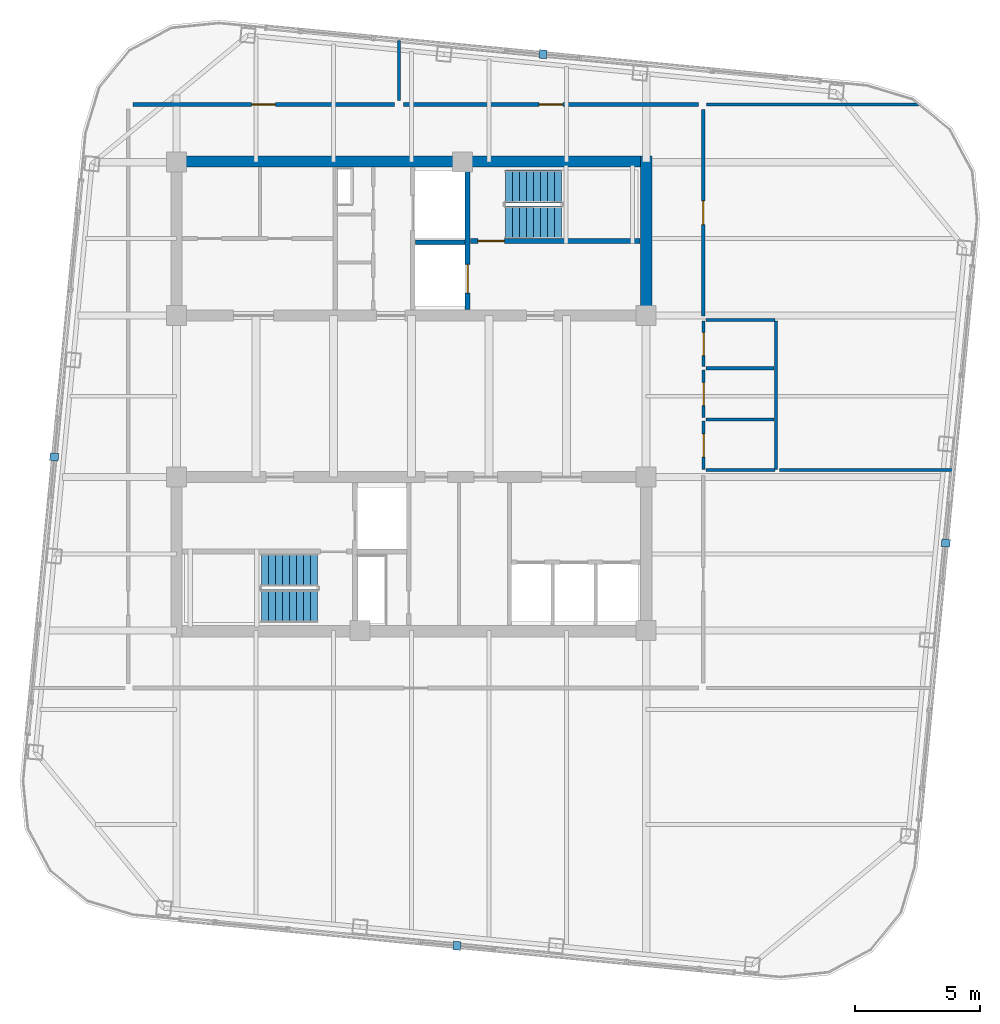
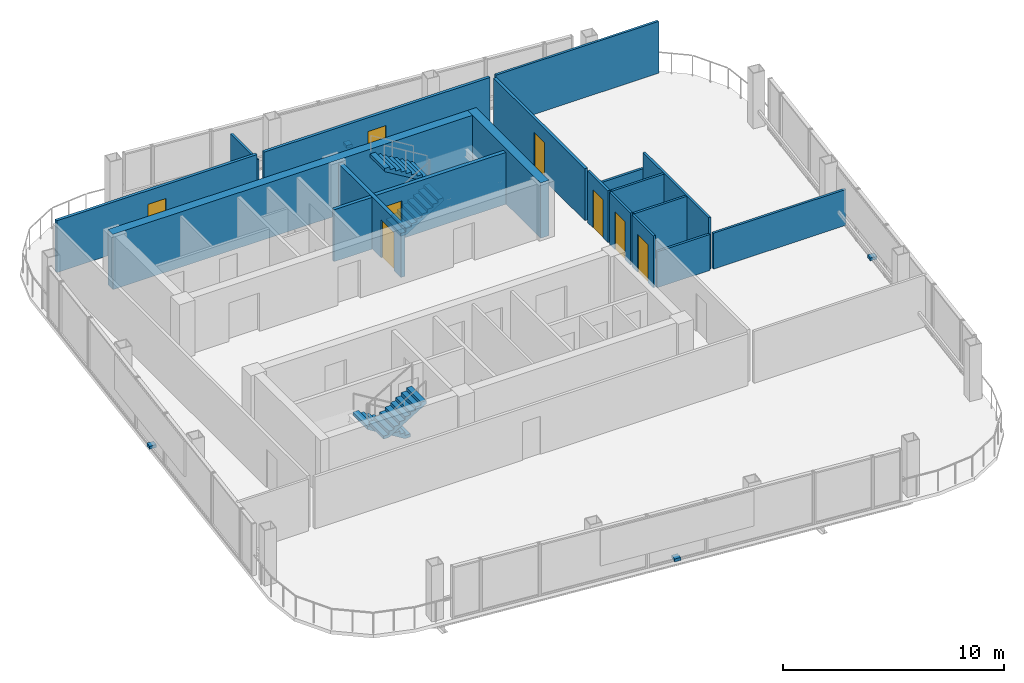
# One storey, part 22 of 26: 19 walls, 8 doors, 4 discrete accessories, 4 stair flights, 8 openings, 2 elements without a shape of their own.
"""IFC4 building model written with IfcOpenShell, lengths in metres."""

import ifcopenshell
import ifcopenshell.guid

model = None  # the IFC model being written
_history = None  # IfcOwnerHistory: only IFC2X3 demands one
_inside = {}  # id of a spatial element -> (the spatial element, [elements in it])
_under = {}  # id of a project, library or spatial element -> (it, [spatial elements below it])
_declared = {}  # id of a project -> (the project, [libraries it declares])
_typed = {}  # id of a type object -> (the type object, [elements of that type])
_made_of = {}  # id of a material, layer set ... -> (it, [elements and type objects made of it])


def new_model(schema):
    """Start an empty IFC model of exactly this schema.

    Asked for "IFC4X3", IfcOpenShell would pick the latest addendum, in which some entities
    have other attributes; the version numbers below select the first issue.
    IFC2X3 requires an IfcOwnerHistory on every rooted entity: one is made here for all.
    """
    global model, _history
    if schema == "IFC4X3":
        model = ifcopenshell.file(schema_version=(4, 3, 0, 0))
    else:
        model = ifcopenshell.file(schema=schema)
    _inside.clear()
    _under.clear()
    _declared.clear()
    _typed.clear()
    _made_of.clear()
    _history = None
    if model.schema == "IFC2X3":
        org = make("IfcOrganization", Name="unknown")
        user = make(
            "IfcPersonAndOrganization",
            ThePerson=make("IfcPerson", FamilyName="unknown"),
            TheOrganization=org,
        )
        app = make(
            "IfcApplication",
            ApplicationDeveloper=org,
            Version="unknown",
            ApplicationFullName="unknown",
            ApplicationIdentifier="unknown",
        )
        _history = make(
            "IfcOwnerHistory",
            OwningUser=user,
            OwningApplication=app,
            ChangeAction="ADDED",
            CreationDate=0,
        )
    return model


def make(cls, **values):
    """One entity of the class cls with the attributes given. An attribute that is None is left unset."""
    return model.create_entity(
        cls, **{name: value for name, value in values.items() if value is not None}
    )


def rooted(cls, **values):
    """An entity with a GlobalId (a new one), such as an element, a storey or a relation."""
    return make(cls, GlobalId=ifcopenshell.guid.new(), OwnerHistory=_history, **values)


def si_unit(unit_type, name, prefix=None):
    """IfcSIUnit, for example si_unit("LENGTHUNIT", "METRE", prefix="MILLI")."""
    return make("IfcSIUnit", UnitType=unit_type, Prefix=prefix, Name=name)


def assignment(units):
    """IfcUnitAssignment: the units of a project."""
    return None if units is None else make("IfcUnitAssignment", Units=units)


def point(xyz):
    """IfcCartesianPoint."""
    return None if xyz is None else make("IfcCartesianPoint", Coordinates=xyz)


def direction(xyz):
    """IfcDirection."""
    return None if xyz is None else make("IfcDirection", DirectionRatios=xyz)


def frame(location, z_axis=None, x_axis=None):
    """IfcAxis2Placement3D, a coordinate frame: its origin and axes. An axis left out is left unset."""
    return make(
        "IfcAxis2Placement3D",
        Location=point(location),
        Axis=direction(z_axis),
        RefDirection=direction(x_axis),
    )


def frame_2d(location, x_axis=None):
    """IfcAxis2Placement2D, a coordinate frame in the plane: its origin and x axis."""
    return make(
        "IfcAxis2Placement2D", Location=point(location), RefDirection=direction(x_axis)
    )


def origin():
    """The frame at (0, 0, 0) with its axes left unset."""
    return frame((0.0, 0.0, 0.0))


def origin_2d():
    """The frame at (0, 0) in the plane with its x axis left unset."""
    return frame_2d((0.0, 0.0))


def place(relative_to, where):
    """IfcLocalPlacement: puts the frame where relative to a parent placement (None: the world)."""
    return make(
        "IfcLocalPlacement", PlacementRelTo=relative_to, RelativePlacement=where
    )


def context(
    kind, dimensions, precision=None, world=None, true_north=None, identifier=None
):
    """IfcGeometricRepresentationContext, for example the 3D "Model" context."""
    return make(
        "IfcGeometricRepresentationContext",
        ContextIdentifier=identifier,
        ContextType=kind,
        CoordinateSpaceDimension=dimensions,
        Precision=precision,
        WorldCoordinateSystem=world,
        TrueNorth=true_north,
    )


def subcontext(parent, identifier, kind, view, scale=None):
    """IfcGeometricRepresentationSubContext, for example "Body" below "Model"."""
    return make(
        "IfcGeometricRepresentationSubContext",
        ContextIdentifier=identifier,
        ContextType=kind,
        ParentContext=parent,
        TargetScale=scale,
        TargetView=view,
    )


def project(units=None, contexts=None):
    """IfcProject with its units and contexts."""
    return rooted(
        "IfcProject",
        Name="project",
        RepresentationContexts=contexts,
        UnitsInContext=assignment(units),
    )


def spatial(cls, under=None, at=None, **own):
    """A site, building, storey or space (cls), placed at a placement, below another one or the project."""
    s = rooted(cls, ObjectPlacement=at, **own)
    if under is not None:
        _under.setdefault(under.id(), (under, []))[1].append(s)
    return s


def polyline(points):
    """IfcPolyline through the points."""
    return make("IfcPolyline", Points=[point(p) for p in points])


def profile(cls, at=None, kind="AREA", **sizes):
    """A parametric profile (cls). Its sizes go by their IFC names, for example OverallWidth=200.0."""
    return make(cls, ProfileType=kind, Position=at, **sizes)


def rectangle(**sizes):
    """IfcRectangleProfileDef."""
    return profile("IfcRectangleProfileDef", **sizes)


def outline(outer, holes=None, kind="AREA"):
    """IfcArbitraryClosedProfileDef: a profile drawn as a closed curve; with holes, ...WithVoids."""
    if holes is None:
        return make("IfcArbitraryClosedProfileDef", ProfileType=kind, OuterCurve=outer)
    return make(
        "IfcArbitraryProfileDefWithVoids",
        ProfileType=kind,
        OuterCurve=outer,
        InnerCurves=holes,
    )


def extrude(swept, where, along, depth):
    """IfcExtrudedAreaSolid: the profile swept, set in the frame where, extruded along a direction by depth."""
    return make(
        "IfcExtrudedAreaSolid",
        SweptArea=swept,
        Position=where,
        ExtrudedDirection=direction(along),
        Depth=depth,
    )


def shape(context_of_items, identifier, shape_type, items):
    """IfcShapeRepresentation: the items that make up one representation, for example the "Body"."""
    return make(
        "IfcShapeRepresentation",
        ContextOfItems=context_of_items,
        RepresentationIdentifier=identifier,
        RepresentationType=shape_type,
        Items=items,
    )


def material(Name=None, Category=None):
    """IfcMaterial."""
    return make("IfcMaterial", Name=Name, Category=Category)


def layer(
    of_material, thickness, ventilated=None, Name=None, Category=None, Priority=None
):
    """IfcMaterialLayer: one layer of a wall or slab, of a material (None: an air gap)."""
    return make(
        "IfcMaterialLayer",
        Material=of_material,
        LayerThickness=thickness,
        IsVentilated=ventilated,
        Name=Name,
        Category=Category,
        Priority=Priority,
    )


def layer_set(layers, Name=None):
    """IfcMaterialLayerSet."""
    return make("IfcMaterialLayerSet", MaterialLayers=layers, LayerSetName=Name)


def made_of(thing, what):
    """Note that an element or type object is made of a material, layer set ...; save() writes the relation."""
    if what is not None:
        _made_of.setdefault(what.id(), (what, []))[1].append(thing)
    return thing


def type_object(cls, material=None, **own):
    """A type object (cls), such as IfcWallType, which elements share."""
    return made_of(rooted(cls, **own), material)


def element(
    cls,
    number,
    at=None,
    inside=None,
    cuts=None,
    type_object=None,
    material=None,
    context=None,
    identifier="Body",
    shape_type=None,
    held_by="IfcProductDefinitionShape",
    body=None,
    shapes=None,
    **own,
):
    """One element of the class cls, such as IfcWall. Its Tag is "e" and its number.

    at: its placement. inside: the storey or other place that contains it. cuts: it is an
    opening in that element (IfcRelVoidsElement). A single representation is given by context,
    identifier, shape_type and body (its items); several are given by shapes. held_by: the class
    of the entity that holds the representations. save() writes the other relations.
    """
    e = rooted(cls, Tag="e%d" % number, ObjectPlacement=at, **own)
    if body is not None:
        shapes = [shape(context, identifier, shape_type, body)]
    if shapes is not None:
        e.Representation = make(held_by, Representations=shapes)
    if inside is not None:
        _inside.setdefault(inside.id(), (inside, []))[1].append(e)
    if cuts is not None:
        rooted(
            "IfcRelVoidsElement", RelatingBuildingElement=cuts, RelatedOpeningElement=e
        )
    if type_object is not None:
        _typed.setdefault(type_object.id(), (type_object, []))[1].append(e)
    return made_of(e, material)


def fill(opening, filler):
    """IfcRelFillsElement: the door or window that sits in an opening."""
    return rooted(
        "IfcRelFillsElement",
        RelatingOpeningElement=opening,
        RelatedBuildingElement=filler,
    )


def aggregate(whole, parts):
    """IfcRelAggregates: a whole, such as a stair, and the parts it consists of."""
    return rooted("IfcRelAggregates", RelatingObject=whole, RelatedObjects=parts)


def save(model, path):
    """Write the relations noted so far, then the file.

    IfcRelAggregates (storeys below a building ...), IfcRelContainedInSpatialStructure (elements
    in a storey), IfcRelDefinesByType, IfcRelAssociatesMaterial and IfcRelDeclares: one each for
    every whole, place, type object, material and project.
    """
    for whole, parts in _under.values():
        aggregate(whole, parts)
    for where, things in _inside.values():
        rooted(
            "IfcRelContainedInSpatialStructure",
            RelatedElements=things,
            RelatingStructure=where,
        )
    for kind, things in _typed.values():
        rooted("IfcRelDefinesByType", RelatedObjects=things, RelatingType=kind)
    for what, things in _made_of.values():
        rooted("IfcRelAssociatesMaterial", RelatedObjects=things, RelatingMaterial=what)
    for by, libraries in _declared.values():
        rooted("IfcRelDeclares", RelatingContext=by, RelatedDefinitions=libraries)
    model.write(path)


model = new_model("IFC4")

# Units and contexts
model_context = context("Model", 3, precision=1e-05, world=origin(), true_north=direction((0.0, 1.0)))
body_context = subcontext(model_context, "Body", "Model", "MODEL_VIEW")
ifc_project = project(units=[si_unit("LENGTHUNIT", "METRE"), si_unit("AREAUNIT", "SQUARE_METRE"), si_unit("VOLUMEUNIT", "CUBIC_METRE"), si_unit("PLANEANGLEUNIT", "RADIAN"), si_unit("MASSUNIT", "GRAM", prefix="KILO")], contexts=[model_context])

# Site, building, storey
site_placement = place(None, origin())
site = spatial("IfcSite", under=ifc_project, at=site_placement, CompositionType="ELEMENT")
building_placement = place(site_placement, origin())
building = spatial("IfcBuilding", under=site, at=building_placement, Name="Qhalaya Broadcast Tower", CompositionType="ELEMENT")
storey_placement = place(building_placement, frame((0.0, 0.0, 248.949951171875)))
storey = spatial("IfcBuildingStorey", under=building, at=storey_placement, Name="L73", CompositionType="ELEMENT", Elevation=248.949951171875)

# Wall, opening, door
ifc_material_1 = material(Name="Gypsum Acoustic Partition")
ifc_layer_1 = layer(ifc_material_1, 0.14990234375, Name="Gypsum Acoustic Partition")
ifc_layer_set_1 = layer_set([ifc_layer_1], Name="Gypsum Acoustic Partition")
wall_type_1 = type_object("IfcWallType", Name="Corridor & Tenancy Acoustic Partition 150", PredefinedType="PARTITIONING", material=ifc_layer_set_1)
wall_1_placement = place(storey_placement, frame((-11.1201171875, 12.25, 0.0), z_axis=(0.0, 0.0, 1.0), x_axis=(1.0, 0.0, 0.0)))
wall_1 = element("IfcWall", 1, at=wall_1_placement, inside=storey, type_object=wall_type_1, Name="L73 Partition Wall W-COR-01", PredefinedType="PARTITIONING", context=body_context, shape_type="SweptSolid", body=[
    extrude(rectangle(XDim=10.440185546875, YDim=0.14990234375, at=frame_2d((5.22021484375, 0.0))), origin(), (0.0, 0.0, 1.0), 2.860107421875),
])
opening_1_placement = place(wall_1_placement, frame((4.7451171875, 0.0, 0.0)))
opening_1 = element("IfcOpeningElement", 2, at=opening_1_placement, cuts=wall_1, Name="Opening D10", PredefinedType="OPENING", context=body_context, shape_type="SweptSolid", body=[
    extrude(rectangle(XDim=0.949951171875, YDim=2.10009765625, at=frame_2d((0.47509765625, 1.050048828125))), frame((0.0, 0.0869140625, 0.0), z_axis=(0.0, -1.0, 0.0), x_axis=(1.0, 0.0, 0.0)), (0.0, 0.0, 1.0), 0.173828125),
])
ifc_material_2 = material(Name="Timber Veneer Acoustic Door", Category="wood")
door_type_1 = type_object("IfcDoorType", Name="Cellular Office & Edit Booth Door D10", OperationType="NOTDEFINED", PredefinedType="DOOR", material=ifc_material_2)
door_1_placement = place(opening_1_placement, origin())
door_1 = element("IfcDoor", 3, at=door_1_placement, inside=storey, type_object=door_type_1, Name="L73 Door D-RM01", OperationType="SINGLE_SWING_LEFT", OverallHeight=2.10009765625, OverallWidth=0.949951171875, PredefinedType="DOOR", context=body_context, shape_type="SweptSolid", body=[
    extrude(rectangle(XDim=0.949951171875, YDim=2.10009765625, at=frame_2d((0.47509765625, 1.050048828125))), frame((0.0, 0.02490234375, 0.0), z_axis=(0.0, -1.0, 0.0), x_axis=(1.0, 0.0, 0.0)), (0.0, 0.0, 1.0), 0.050048828125),
])
fill(opening_1, door_1)

wall_2_placement = place(storey_placement, frame((-0.320068359375, 12.25, 0.0), z_axis=(0.0, 0.0, 1.0), x_axis=(1.0, 0.0, 0.0)))
wall_2 = element("IfcWall", 4, at=wall_2_placement, inside=storey, type_object=wall_type_1, Name="L73 Partition Wall W-COR-02", PredefinedType="PARTITIONING", context=body_context, shape_type="SweptSolid", body=[
    extrude(rectangle(XDim=11.7900390625, YDim=0.14990234375, at=frame_2d((5.89501953125, 0.0))), origin(), (0.0, 0.0, 1.0), 2.860107421875),
])
opening_2_placement = place(wall_2_placement, frame((5.419921875, 0.0, 0.0)))
opening_2 = element("IfcOpeningElement", 5, at=opening_2_placement, cuts=wall_2, Name="Opening D10", PredefinedType="OPENING", context=body_context, shape_type="SweptSolid", body=[
    extrude(rectangle(XDim=0.949951171875, YDim=2.10009765625, at=frame_2d((0.47509765625, 1.050048828125))), frame((0.0, 0.0869140625, 0.0), z_axis=(0.0, -1.0, 0.0), x_axis=(1.0, 0.0, 0.0)), (0.0, 0.0, 1.0), 0.173828125),
])
door_2_placement = place(opening_2_placement, origin())
door_2 = element("IfcDoor", 6, at=door_2_placement, inside=storey, type_object=door_type_1, Name="L73 Door D-RM02", OperationType="SINGLE_SWING_RIGHT", OverallHeight=2.10009765625, OverallWidth=0.949951171875, PredefinedType="DOOR", context=body_context, shape_type="SweptSolid", body=[
    extrude(rectangle(XDim=0.949951171875, YDim=2.10009765625, at=frame_2d((0.47509765625, 1.050048828125))), frame((0.0, 0.02490234375, 0.0), z_axis=(0.0, -1.0, 0.0), x_axis=(1.0, 0.0, 0.0)), (0.0, 0.0, 1.0), 0.050048828125),
])
fill(opening_2, door_2)

wall_3_placement = place(storey_placement, frame((11.64990234375, 3.800048828125, 0.0), z_axis=(0.0, 0.0, 1.0), x_axis=(0.0, 1.0, 0.0)))
wall_3 = element("IfcWall", 7, at=wall_3_placement, inside=storey, type_object=wall_type_1, Name="L73 Partition Wall W-COR-06", PredefinedType="PARTITIONING", context=body_context, shape_type="SweptSolid", body=[
    extrude(rectangle(XDim=8.25, YDim=0.14990234375, at=frame_2d((4.125, 0.0))), origin(), (0.0, 0.0, 1.0), 2.860107421875),
])
opening_3_placement = place(wall_3_placement, frame((3.64990234375, 0.0, 0.0)))
opening_3 = element("IfcOpeningElement", 8, at=opening_3_placement, cuts=wall_3, Name="Opening D10", PredefinedType="OPENING", context=body_context, shape_type="SweptSolid", body=[
    extrude(rectangle(XDim=0.949951171875, YDim=2.10009765625, at=frame_2d((0.47509765625, 1.050048828125))), frame((0.0, 0.0869140625, 0.0), z_axis=(0.0, -1.0, 0.0), x_axis=(1.0, 0.0, 0.0)), (0.0, 0.0, 1.0), 0.173828125),
])
door_3_placement = place(opening_3_placement, origin())
door_3 = element("IfcDoor", 9, at=door_3_placement, inside=storey, type_object=door_type_1, Name="L73 Door D-RM06", OperationType="SINGLE_SWING_RIGHT", OverallHeight=2.10009765625, OverallWidth=0.949951171875, PredefinedType="DOOR", context=body_context, shape_type="SweptSolid", body=[
    extrude(rectangle(XDim=0.949951171875, YDim=2.10009765625, at=frame_2d((0.47509765625, 1.050048828125))), frame((0.0, 0.02490234375, 0.0), z_axis=(0.0, -1.0, 0.0), x_axis=(1.0, 0.0, 0.0)), (0.0, 0.0, 1.0), 0.050048828125),
])
fill(opening_3, door_3)

ifc_material_3 = material(Name="Concrete C50/60", Category="concrete")
ifc_layer_2 = layer(ifc_material_3, 0.199951171875, Name="Concrete C50/60")
ifc_layer_set_2 = layer_set([ifc_layer_2], Name="Concrete C50/60")
wall_type_2 = type_object("IfcWallType", Name="Load-Bearing Stair Shaft Wall 200", PredefinedType="SHEAR", material=ifc_layer_set_2)
wall_4_placement = place(storey_placement, frame((2.360107421875, 6.804931640625, 0.0), z_axis=(0.0, 0.0, 1.0), x_axis=(1.0, 0.0, 0.0)))
wall_4 = element("IfcWall", 10, at=wall_4_placement, inside=storey, type_object=wall_type_2, Name="L73 Stair Core Shear Wall NCW-ST1", PredefinedType="SHEAR", context=body_context, shape_type="SweptSolid", body=[
    extrude(rectangle(XDim=6.769775390625, YDim=0.199951171875, at=frame_2d((3.384765625, 0.0))), origin(), (0.0, 0.0, 1.0), 2.860107421875),
])
opening_4_placement = place(wall_4_placement, frame((0.300048828125, 0.0, 0.0)))
opening_4 = element("IfcOpeningElement", 11, at=opening_4_placement, cuts=wall_4, Name="Opening D03", PredefinedType="OPENING", context=body_context, shape_type="SweptSolid", body=[
    extrude(rectangle(XDim=1.050048828125, YDim=2.080078125, at=frame_2d((0.52490234375, 1.0400390625))), frame((0.0, 0.112060546875, 0.0), z_axis=(0.0, -1.0, 0.0), x_axis=(1.0, 0.0, 0.0)), (0.0, 0.0, 1.0), 0.223876953125),
])
ifc_material_4 = material(Name="Fire-Rated Steel Door", Category="steel")
door_type_2 = type_object("IfcDoorType", Name="Core Stair Protected Fire Door D03", OperationType="NOTDEFINED", PredefinedType="DOOR", material=ifc_material_4)
door_4_placement = place(opening_4_placement, origin())
door_4 = element("IfcDoor", 12, at=door_4_placement, inside=storey, type_object=door_type_2, Name="L73 Door D-NST1", OperationType="SINGLE_SWING_LEFT", OverallHeight=2.080078125, OverallWidth=1.050048828125, PredefinedType="DOOR", context=body_context, shape_type="SweptSolid", body=[
    extrude(rectangle(XDim=1.050048828125, YDim=2.080078125, at=frame_2d((0.52490234375, 1.0400390625))), frame((0.0, 0.02490234375, 0.0), z_axis=(0.0, -1.0, 0.0), x_axis=(1.0, 0.0, 0.0)), (0.0, 0.0, 1.0), 0.050048828125),
])
fill(opening_4, door_4)

wall_5_placement = place(storey_placement, frame((2.25, 4.070068359375, 0.0), z_axis=(0.0, 0.0, 1.0), x_axis=(0.0, 1.0, 0.0)))
wall_5 = element("IfcWall", 13, at=wall_5_placement, inside=storey, type_object=wall_type_2, Name="L73 Stair Core Shear Wall NCW-FF", PredefinedType="SHEAR", context=body_context, shape_type="SweptSolid", body=[
    extrude(rectangle(XDim=5.659912109375, YDim=0.199951171875, at=frame_2d((2.830078125, 0.0))), origin(), (0.0, 0.0, 1.0), 2.860107421875),
])
opening_5_placement = place(wall_5_placement, frame((0.64990234375, 0.0, 0.0)))
opening_5 = element("IfcOpeningElement", 14, at=opening_5_placement, cuts=wall_5, Name="Opening LD2", PredefinedType="OPENING", context=body_context, shape_type="SweptSolid", body=[
    extrude(rectangle(XDim=1.14990234375, YDim=2.080078125, at=frame_2d((0.574951171875, 1.0400390625))), frame((0.0, 0.112060546875, 0.0), z_axis=(0.0, -1.0, 0.0), x_axis=(1.0, 0.0, 0.0)), (0.0, 0.0, 1.0), 0.223876953125),
])
ifc_material_5 = material(Name="Brushed Stainless Steel Lift Door", Category="steel")
door_type_3 = type_object("IfcDoorType", Name="Firefighting Lift Sliding Landing Door LD2", OperationType="DOUBLE_DOOR_SLIDING", PredefinedType="DOOR", material=ifc_material_5)
door_5_placement = place(opening_5_placement, origin())
door_5 = element("IfcDoor", 15, at=door_5_placement, inside=storey, type_object=door_type_3, Name="L73 Door LD-FF1", OperationType="DOUBLE_DOOR_SLIDING", OverallHeight=2.080078125, OverallWidth=1.14990234375, PredefinedType="DOOR", context=body_context, shape_type="SweptSolid", body=[
    extrude(rectangle(XDim=1.14990234375, YDim=2.080078125, at=frame_2d((0.574951171875, 1.0400390625))), frame((0.0, 0.02490234375, 0.0), z_axis=(0.0, -1.0, 0.0), x_axis=(1.0, 0.0, 0.0)), (0.0, 0.0, 1.0), 0.050048828125),
])
fill(opening_5, door_5)

ifc_layer_3 = layer(ifc_material_1, 0.1201171875, Name="Gypsum Acoustic Partition")
ifc_layer_set_3 = layer_set([ifc_layer_3], Name="Gypsum Acoustic Partition")
wall_type_3 = type_object("IfcWallType", Name="Office, Booth & Sanitary Partition 120", PredefinedType="PARTITIONING", material=ifc_layer_set_3)
wall_6_placement = place(storey_placement, frame((11.669921875, -2.320068359375, 0.0), z_axis=(0.0, 0.0, 1.0), x_axis=(0.0, 1.0, 0.0)))
wall_6 = element("IfcWall", 16, at=wall_6_placement, inside=storey, type_object=wall_type_3, Name="L73 Partition Wall W-WCWA", PredefinedType="PARTITIONING", context=body_context, shape_type="SweptSolid", body=[
    extrude(rectangle(XDim=1.940185546875, YDim=0.1201171875, at=frame_2d((0.97021484375, 0.0))), origin(), (0.0, 0.0, 1.0), 2.860107421875),
])
opening_6_placement = place(wall_6_placement, frame((0.4951171875, 0.0, 0.0)))
opening_6 = element("IfcOpeningElement", 17, at=opening_6_placement, cuts=wall_6, Name="Opening D12", PredefinedType="OPENING", context=body_context, shape_type="SweptSolid", body=[
    extrude(rectangle(XDim=0.919921875, YDim=2.10009765625, at=frame_2d((0.4599609375, 1.050048828125))), frame((0.0, 0.072021484375, 0.0), z_axis=(0.0, -1.0, 0.0), x_axis=(1.0, 0.0, 0.0)), (0.0, 0.0, 1.0), 0.14404296875),
])
door_type_4 = type_object("IfcDoorType", Name="Accessible WC & Restroom Door D12", OperationType="NOTDEFINED", PredefinedType="DOOR", material=ifc_material_2)
door_6_placement = place(opening_6_placement, origin())
door_6 = element("IfcDoor", 18, at=door_6_placement, inside=storey, type_object=door_type_4, Name="L73 Door D-WCA", OperationType="SINGLE_SWING_LEFT", OverallHeight=2.10009765625, OverallWidth=0.919921875, PredefinedType="DOOR", context=body_context, shape_type="SweptSolid", body=[
    extrude(rectangle(XDim=0.919921875, YDim=2.10009765625, at=frame_2d((0.4599609375, 1.050048828125))), frame((0.0, 0.02490234375, 0.0), z_axis=(0.0, -1.0, 0.0), x_axis=(1.0, 0.0, 0.0)), (0.0, 0.0, 1.0), 0.050048828125),
])
fill(opening_6, door_6)

wall_7_placement = place(storey_placement, frame((11.669921875, -0.25, 0.0), z_axis=(0.0, 0.0, 1.0), x_axis=(0.0, 1.0, 0.0)))
wall_7 = element("IfcWall", 19, at=wall_7_placement, inside=storey, type_object=wall_type_3, Name="L73 Partition Wall W-WCWM", PredefinedType="PARTITIONING", context=body_context, shape_type="SweptSolid", body=[
    extrude(rectangle(XDim=1.89990234375, YDim=0.1201171875, at=frame_2d((0.949951171875, 0.0))), origin(), (0.0, 0.0, 1.0), 2.860107421875),
])
opening_7_placement = place(wall_7_placement, frame((0.47509765625, 0.0, 0.0)))
opening_7 = element("IfcOpeningElement", 20, at=opening_7_placement, cuts=wall_7, Name="Opening D12", PredefinedType="OPENING", context=body_context, shape_type="SweptSolid", body=[
    extrude(rectangle(XDim=0.919921875, YDim=2.10009765625, at=frame_2d((0.4599609375, 1.050048828125))), frame((0.0, 0.072021484375, 0.0), z_axis=(0.0, -1.0, 0.0), x_axis=(1.0, 0.0, 0.0)), (0.0, 0.0, 1.0), 0.14404296875),
])
door_7_placement = place(opening_7_placement, origin())
door_7 = element("IfcDoor", 21, at=door_7_placement, inside=storey, type_object=door_type_4, Name="L73 Door D-WCM", OperationType="SINGLE_SWING_RIGHT", OverallHeight=2.10009765625, OverallWidth=0.919921875, PredefinedType="DOOR", context=body_context, shape_type="SweptSolid", body=[
    extrude(rectangle(XDim=0.919921875, YDim=2.10009765625, at=frame_2d((0.4599609375, 1.050048828125))), frame((0.0, 0.02490234375, 0.0), z_axis=(0.0, -1.0, 0.0), x_axis=(1.0, 0.0, 0.0)), (0.0, 0.0, 1.0), 0.050048828125),
])
fill(opening_7, door_7)

wall_8_placement = place(storey_placement, frame((11.669921875, 1.780029296875, 0.0), z_axis=(0.0, 0.0, 1.0), x_axis=(0.0, 1.0, 0.0)))
wall_8 = element("IfcWall", 22, at=wall_8_placement, inside=storey, type_object=wall_type_3, Name="L73 Partition Wall W-WCWF", PredefinedType="PARTITIONING", context=body_context, shape_type="SweptSolid", body=[
    extrude(rectangle(XDim=1.830078125, YDim=0.1201171875, at=frame_2d((0.9150390625, 0.0))), origin(), (0.0, 0.0, 1.0), 2.860107421875),
])
opening_8_placement = place(wall_8_placement, frame((0.43994140625, 0.0, 0.0)))
opening_8 = element("IfcOpeningElement", 23, at=opening_8_placement, cuts=wall_8, Name="Opening D12", PredefinedType="OPENING", context=body_context, shape_type="SweptSolid", body=[
    extrude(rectangle(XDim=0.919921875, YDim=2.10009765625, at=frame_2d((0.4599609375, 1.050048828125))), frame((0.0, 0.072021484375, 0.0), z_axis=(0.0, -1.0, 0.0), x_axis=(1.0, 0.0, 0.0)), (0.0, 0.0, 1.0), 0.14404296875),
])
door_8_placement = place(opening_8_placement, origin())
door_8 = element("IfcDoor", 24, at=door_8_placement, inside=storey, type_object=door_type_4, Name="L73 Door D-WCF", OperationType="SINGLE_SWING_LEFT", OverallHeight=2.10009765625, OverallWidth=0.919921875, PredefinedType="DOOR", context=body_context, shape_type="SweptSolid", body=[
    extrude(rectangle(XDim=0.919921875, YDim=2.10009765625, at=frame_2d((0.4599609375, 1.050048828125))), frame((0.0, 0.02490234375, 0.0), z_axis=(0.0, -1.0, 0.0), x_axis=(1.0, 0.0, 0.0)), (0.0, 0.0, 1.0), 0.050048828125),
])
fill(opening_8, door_8)

# Walls
wall_9_placement = place(storey_placement, frame((14.550048828125, -2.320068359375, 0.0), z_axis=(0.0, 0.0, 1.0), x_axis=(0.0, 1.0, 0.0)))
element("IfcWall", 25, at=wall_9_placement, inside=storey, type_object=wall_type_3, Name="L73 Partition Wall W-WCE", PredefinedType="PARTITIONING", context=body_context, shape_type="SweptSolid", body=[
    extrude(rectangle(XDim=5.93017578125, YDim=0.1201171875, at=frame_2d((2.965087890625, 0.0))), origin(), (0.0, 0.0, 1.0), 2.860107421875),
])
for number, where, z_axis, x_axis, name in (
    (26, (11.760009765625, -2.35009765625, 0.0), (0.0, 0.0, 1.0), (1.0, 0.0, 0.0), "L73 Partition Wall W-WCS"),
    (27, (11.760009765625, 3.639892578125, 0.0), (0.0, 0.0, 1.0), (1.0, 0.0, 0.0), "L73 Partition Wall W-WCN"),
):
    element("IfcWall", number, at=place(storey_placement, frame(where, z_axis=z_axis, x_axis=x_axis)), inside=storey, type_object=wall_type_3, Name=name, PredefinedType="PARTITIONING", context=body_context, shape_type="SweptSolid", body=[
        extrude(rectangle(XDim=2.760009765625, YDim=0.1201171875, at=frame_2d((1.3798828125, 0.0))), origin(), (0.0, 0.0, 1.0), 1.98095703125),
    ])
for number, where, z_axis, x_axis, name in (
    (28, (11.760009765625, -0.320068359375, 0.0), (0.0, 0.0, 1.0), (1.0, 0.0, 0.0), "L73 Partition Wall W-WCD1"),
    (29, (11.760009765625, 1.719970703125, 0.0), (0.0, 0.0, 1.0), (1.0, 0.0, 0.0), "L73 Partition Wall W-WCD2"),
):
    element("IfcWall", number, at=place(storey_placement, frame(where, z_axis=z_axis, x_axis=x_axis)), inside=storey, type_object=wall_type_3, Name=name, PredefinedType="PARTITIONING", context=body_context, shape_type="SweptSolid", body=[
        extrude(rectangle(XDim=2.719970703125, YDim=0.1201171875, at=frame_2d((1.35986328125, 0.0))), origin(), (0.0, 0.0, 1.0), 2.860107421875),
    ])
wall_10_placement = place(storey_placement, frame((11.7900390625, 12.25, 0.0), z_axis=(0.0, 0.0, 1.0), x_axis=(1.0, 0.0, 0.0)))
element("IfcWall", 30, at=wall_10_placement, inside=storey, type_object=wall_type_3, Name="L73 Partition Wall W-BNDE1", PredefinedType="PARTITIONING", context=body_context, shape_type="SweptSolid", body=[
    extrude(rectangle(XDim=8.484130859375, YDim=0.1201171875, at=frame_2d((4.2421875, 0.0))), origin(), (0.0, 0.0, 1.0), 2.860107421875),
])
wall_11_placement = place(storey_placement, frame((-0.5, 12.409912109375, 0.0), z_axis=(0.0, 0.0, 1.0), x_axis=(0.0, 1.0, 0.0)))
element("IfcWall", 31, at=wall_11_placement, inside=storey, type_object=wall_type_3, Name="L73 Partition Wall W-DIVN1", PredefinedType="PARTITIONING", context=body_context, shape_type="SweptSolid", body=[
    extrude(rectangle(XDim=2.40185546875, YDim=0.1201171875, at=frame_2d((1.200927734375, 0.0))), origin(), (0.0, 0.0, 1.0), 2.381103515625),
])
wall_12_placement = place(storey_placement, frame((14.68994140625, -2.35009765625, 0.0), z_axis=(0.0, 0.0, 1.0), x_axis=(1.0, 0.0, 0.0)))
element("IfcWall", 32, at=wall_12_placement, inside=storey, type_object=wall_type_3, Name="L73 Partition Wall W-DIVE-WC", PredefinedType="PARTITIONING", context=body_context, shape_type="SweptSolid", body=[
    extrude(rectangle(XDim=6.92724609375, YDim=0.1201171875, at=frame_2d((3.463623046875, 0.0))), origin(), (0.0, 0.0, 1.0), 1.98095703125),
])
ifc_layer_4 = layer(ifc_material_1, 0.175048828125, Name="Gypsum Acoustic Partition")
ifc_layer_set_4 = layer_set([ifc_layer_4], Name="Gypsum Acoustic Partition")
wall_type_4 = type_object("IfcWallType", Name="Shaft & Riser Fire Partition 175", PredefinedType="PARTITIONING", material=ifc_layer_set_4)
wall_13_placement = place(storey_placement, frame((0.159912109375, 6.75, 0.0), z_axis=(0.0, 0.0, 1.0), x_axis=(1.0, 0.0, 0.0)))
element("IfcWall", 33, at=wall_13_placement, inside=storey, type_object=wall_type_4, Name="L73 Partition Wall NCW-SVM", PredefinedType="PARTITIONING", context=body_context, shape_type="SweptSolid", body=[
    extrude(rectangle(XDim=1.97998046875, YDim=0.175048828125, at=frame_2d((0.989990234375, 0.0))), origin(), (0.0, 0.0, 1.0), 2.860107421875),
])
ifc_layer_5 = layer(ifc_material_3, 0.449951171875, Name="Concrete C50/60")
ifc_layer_set_5 = layer_set([ifc_layer_5], Name="Concrete C50/60")
wall_type_5 = type_object("IfcWallType", Name="Upper Split-Core Shear Wall 450", PredefinedType="SHEAR", material=ifc_layer_set_5)
wall_14_placement = place(storey_placement, frame((-9.60009765625, 9.97509765625, 0.0), z_axis=(0.0, 0.0, 1.0), x_axis=(1.0, 0.0, 0.0)))
element("IfcWall", 34, at=wall_14_placement, inside=storey, type_object=wall_type_5, Name="L73 Split-Core Shear Wall CW-NN", PredefinedType="SHEAR", context=body_context, shape_type="SweptSolid", body=[
    extrude(rectangle(XDim=19.2001953125, YDim=0.449951171875, at=frame_2d((9.60009765625, 0.0))), origin(), (0.0, 0.0, 1.0), 3.050048828125),
])
wall_15_placement = place(storey_placement, frame((9.375, 3.60009765625, 0.0), z_axis=(0.0, 0.0, 1.0), x_axis=(0.0, 1.0, 0.0)))
element("IfcWall", 35, at=wall_15_placement, inside=storey, type_object=wall_type_5, Name="L73 Split-Core Shear Wall CW-NE", PredefinedType="SHEAR", context=body_context, shape_type="SweptSolid", body=[
    extrude(rectangle(XDim=6.599853515625, YDim=0.449951171875, at=frame_2d((3.2998046875, 0.0))), origin(), (0.0, 0.0, 1.0), 3.050048828125),
])

# Stair, stair flights
ifc_material_6 = material(Name="Concrete C40/50", Category="concrete")
stair_type = type_object("IfcStairType", Name="Protected Dogleg Core Stair 3150", PredefinedType="TWO_STRAIGHT_RUN_STAIR", material=ifc_material_6)
stair_1_placement = place(storey_placement, origin())
stair_1 = element("IfcStair", 36, at=stair_1_placement, inside=storey, type_object=stair_type, Name="L73 North Core Exit Stair ST-1", PredefinedType="TWO_STRAIGHT_RUN_STAIR")
ifc_material_7 = material(Name="Precast Concrete C40/50", Category="concrete")
stair_flight_type = type_object("IfcStairFlightType", Name="Precast Concrete Stair Flight 3150", PredefinedType="STRAIGHT", material=ifc_material_7)
stair_flight_1_placement = place(storey_placement, frame((3.75, 7.5400390625, 0.0), z_axis=(0.0, 0.0, 1.0), x_axis=(1.0, 0.0, 0.0)))
stair_flight_1 = element("IfcStairFlight", 37, at=stair_flight_1_placement, type_object=stair_flight_type, Name="ST-1 flight 1", NumberOfRisers=9, NumberOfTreads=8, PredefinedType="STRAIGHT", RiserHeight=0.169444444, TreadLength=0.28, context=body_context, shape_type="SweptSolid", body=[
    extrude(outline(polyline([(0.0, 0.0), (0.0, 0.16943359375), (0.280029296875, 0.16943359375), (0.280029296875, 0.3388671875), (0.56005859375, 0.3388671875), (0.56005859375, 0.50830078125), (0.840087890625, 0.50830078125), (0.840087890625, 0.677734375), (1.1201171875, 0.677734375), (1.1201171875, 0.84716796875), (1.39990234375, 0.84716796875), (1.39990234375, 1.0166015625), (1.679931640625, 1.0166015625), (1.679931640625, 1.18603515625), (1.9599609375, 1.18603515625), (1.9599609375, 1.35546875), (2.239990234375, 1.35546875), (2.239990234375, 1.52490234375), (2.239990234375, 1.180419921875), (0.28955078125, 0.0), (0.0, 0.0)])), frame((0.0, 0.66015625, 0.0), z_axis=(0.0, -1.0, 0.0), x_axis=(1.0, 0.0, 0.0)), (0.0, 0.0, 1.0), 1.320068359375),
])
stair_flight_2_placement = place(storey_placement, frame((5.989990234375, 8.97998046875, 1.525146484375), z_axis=(0.0, 0.0, 1.0), x_axis=(-1.0, 0.0, 0.0)))
stair_flight_2 = element("IfcStairFlight", 38, at=stair_flight_2_placement, type_object=stair_flight_type, Name="ST-1 flight 2", NumberOfRisers=9, NumberOfTreads=8, PredefinedType="STRAIGHT", RiserHeight=0.169444444, TreadLength=0.28, context=body_context, shape_type="SweptSolid", body=[
    extrude(outline(polyline([(0.0, 0.0), (0.0, 0.16943359375), (0.280029296875, 0.16943359375), (0.280029296875, 0.3388671875), (0.56005859375, 0.3388671875), (0.56005859375, 0.50830078125), (0.840087890625, 0.50830078125), (0.840087890625, 0.677734375), (1.1201171875, 0.677734375), (1.1201171875, 0.84716796875), (1.39990234375, 0.84716796875), (1.39990234375, 1.0166015625), (1.679931640625, 1.0166015625), (1.679931640625, 1.18603515625), (1.9599609375, 1.18603515625), (1.9599609375, 1.35546875), (2.239990234375, 1.35546875), (2.239990234375, 1.52490234375), (2.239990234375, 1.180419921875), (0.28955078125, 0.0), (0.0, 0.0)])), frame((0.0, 0.66015625, 0.0), z_axis=(0.0, -1.0, 0.0), x_axis=(1.0, 0.0, 0.0)), (0.0, 0.0, 1.0), 1.320068359375),
])
aggregate(stair_1, [stair_flight_1, stair_flight_2])

stair_2_placement = place(storey_placement, origin())
stair_2 = element("IfcStair", 39, at=stair_2_placement, inside=storey, type_object=stair_type, Name="L73 South Core Exit Stair ST-2", PredefinedType="TWO_STRAIGHT_RUN_STAIR")
stair_flight_3_placement = place(storey_placement, frame((-3.75, -6.340087890625, 0.0), z_axis=(0.0, 0.0, 1.0), x_axis=(-1.0, 0.0, 0.0)))
stair_flight_3 = element("IfcStairFlight", 40, at=stair_flight_3_placement, type_object=stair_flight_type, Name="ST-2 flight 1", NumberOfRisers=9, NumberOfTreads=8, PredefinedType="STRAIGHT", RiserHeight=0.169444444, TreadLength=0.28, context=body_context, shape_type="SweptSolid", body=[
    extrude(outline(polyline([(0.0, 0.0), (0.0, 0.16943359375), (0.280029296875, 0.16943359375), (0.280029296875, 0.3388671875), (0.56005859375, 0.3388671875), (0.56005859375, 0.50830078125), (0.840087890625, 0.50830078125), (0.840087890625, 0.677734375), (1.1201171875, 0.677734375), (1.1201171875, 0.84716796875), (1.39990234375, 0.84716796875), (1.39990234375, 1.0166015625), (1.679931640625, 1.0166015625), (1.679931640625, 1.18603515625), (1.9599609375, 1.18603515625), (1.9599609375, 1.35546875), (2.239990234375, 1.35546875), (2.239990234375, 1.52490234375), (2.239990234375, 1.180419921875), (0.28955078125, 0.0), (0.0, 0.0)])), frame((0.0, 0.66015625, 0.0), z_axis=(0.0, -1.0, 0.0), x_axis=(1.0, 0.0, 0.0)), (0.0, 0.0, 1.0), 1.320068359375),
])
stair_flight_4_placement = place(storey_placement, frame((-5.989990234375, -7.780029296875, 1.525146484375), z_axis=(0.0, 0.0, 1.0), x_axis=(1.0, 0.0, 0.0)))
stair_flight_4 = element("IfcStairFlight", 41, at=stair_flight_4_placement, type_object=stair_flight_type, Name="ST-2 flight 2", NumberOfRisers=9, NumberOfTreads=8, PredefinedType="STRAIGHT", RiserHeight=0.169444444, TreadLength=0.28, context=body_context, shape_type="SweptSolid", body=[
    extrude(outline(polyline([(0.0, 0.0), (0.0, 0.16943359375), (0.280029296875, 0.16943359375), (0.280029296875, 0.3388671875), (0.56005859375, 0.3388671875), (0.56005859375, 0.50830078125), (0.840087890625, 0.50830078125), (0.840087890625, 0.677734375), (1.1201171875, 0.677734375), (1.1201171875, 0.84716796875), (1.39990234375, 0.84716796875), (1.39990234375, 1.0166015625), (1.679931640625, 1.0166015625), (1.679931640625, 1.18603515625), (1.9599609375, 1.18603515625), (1.9599609375, 1.35546875), (2.239990234375, 1.35546875), (2.239990234375, 1.52490234375), (2.239990234375, 1.180419921875), (0.28955078125, 0.0), (0.0, 0.0)])), frame((0.0, 0.66015625, 0.0), z_axis=(0.0, -1.0, 0.0), x_axis=(1.0, 0.0, 0.0)), (0.0, 0.0, 1.0), 1.320068359375),
])
aggregate(stair_2, [stair_flight_3, stair_flight_4])

# Discrete accessories
ifc_material_8 = material(Name="Structural Steel ASTM A572 Grade 50", Category="steel")
discrete_accessory_type = type_object("IfcDiscreteAccessoryType", Name="Facade Baguette Support Bracket BRK-01", PredefinedType="BRACKET", material=ifc_material_8)
for number, where, z_axis, x_axis, name in (
    (42, (1.826171875, -21.337646484375, 0.0), (0.0, 0.0, 1.0), (0.995396198367, -0.09584575252, 0.0), "L73 Baguette Support Bracket S"),
    (43, (21.337646484375, -5.25390625, 0.0), (0.0, 0.0, 1.0), (0.09584575252, 0.995396198367, 0.0), "L73 Baguette Support Bracket E"),
    (44, (5.25390625, 14.2578125, 0.0), (0.0, 0.0, 1.0), (-0.995396198367, 0.09584575252, 0.0), "L73 Baguette Support Bracket N"),
    (45, (-14.2578125, -1.826171875, 0.0), (0.0, 0.0, 1.0), (-0.09584575252, -0.995396198367, 0.0), "L73 Baguette Support Bracket W"),
):
    element("IfcDiscreteAccessory", number, at=place(storey_placement, frame(where, z_axis=z_axis, x_axis=x_axis)), inside=storey, type_object=discrete_accessory_type, Name=name, PredefinedType="BRACKET", context=body_context, shape_type="SweptSolid", body=[
        extrude(rectangle(XDim=0.300048828125, YDim=0.340087890625, at=origin_2d()), origin(), (0.0, 0.0, 1.0), 0.159912109375),
    ])

save(model, "model.ifc")
